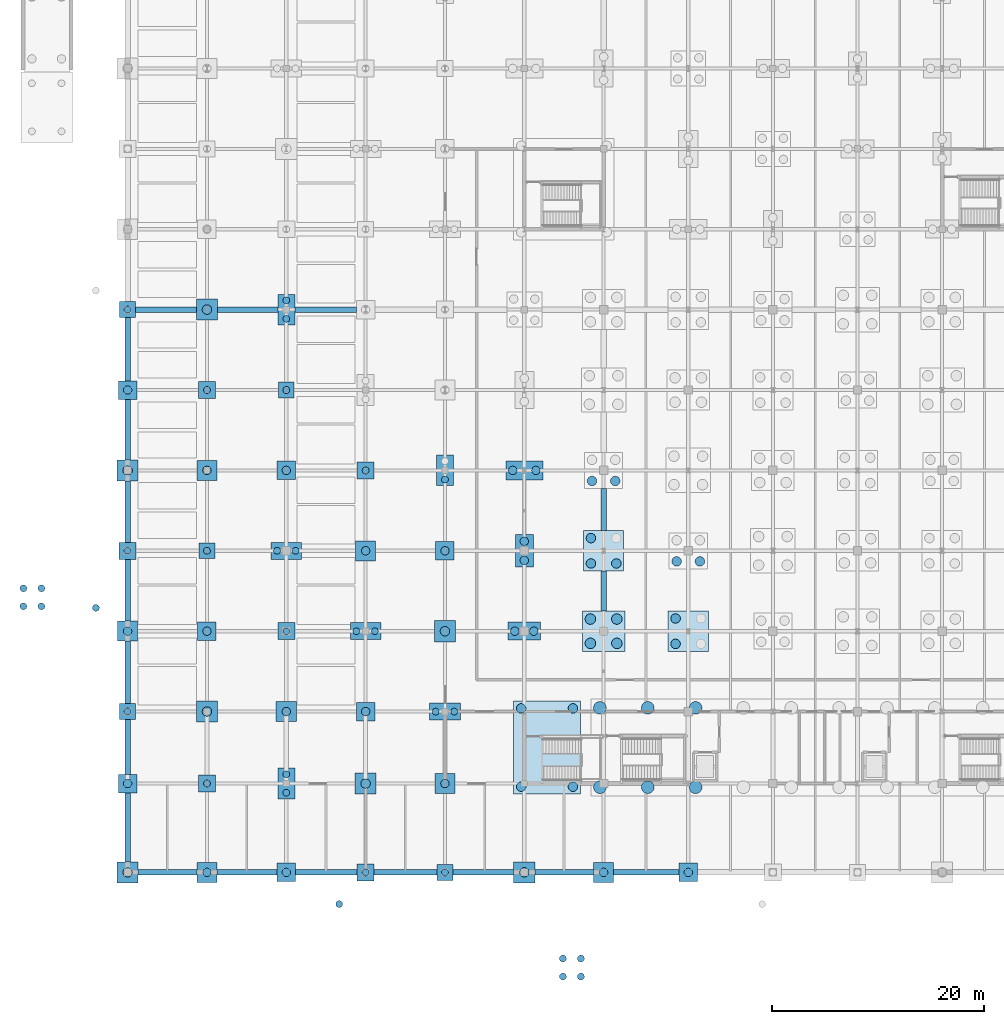
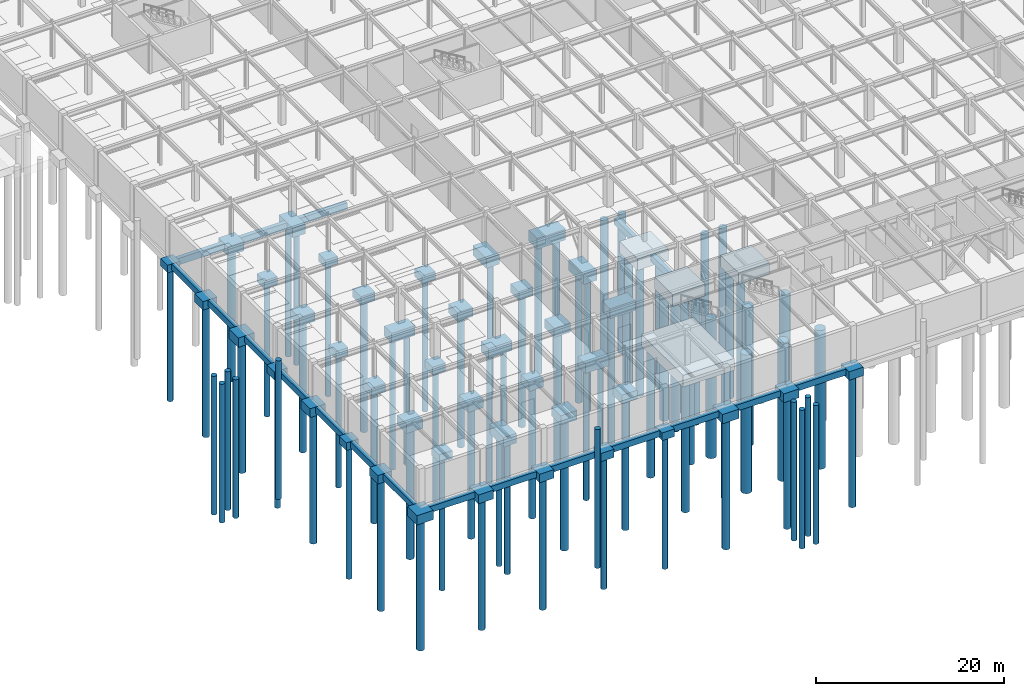
# One storey, part 1 of 53: 83 piles, 65 footings.
"""IFC4 building model written with IfcOpenShell, lengths in metres."""

import ifcopenshell
import ifcopenshell.guid

model = None  # the IFC model being written
_history = None  # IfcOwnerHistory: only IFC2X3 demands one
_inside = {}  # id of a spatial element -> (the spatial element, [elements in it])
_under = {}  # id of a project, library or spatial element -> (it, [spatial elements below it])
_declared = {}  # id of a project -> (the project, [libraries it declares])
_typed = {}  # id of a type object -> (the type object, [elements of that type])
_made_of = {}  # id of a material, layer set ... -> (it, [elements and type objects made of it])


def new_model(schema):
    """Start an empty IFC model of exactly this schema.

    Asked for "IFC4X3", IfcOpenShell would pick the latest addendum, in which some entities
    have other attributes; the version numbers below select the first issue.
    IFC2X3 requires an IfcOwnerHistory on every rooted entity: one is made here for all.
    """
    global model, _history
    if schema == "IFC4X3":
        model = ifcopenshell.file(schema_version=(4, 3, 0, 0))
    else:
        model = ifcopenshell.file(schema=schema)
    _inside.clear()
    _under.clear()
    _declared.clear()
    _typed.clear()
    _made_of.clear()
    _history = None
    if model.schema == "IFC2X3":
        org = make("IfcOrganization", Name="unknown")
        user = make(
            "IfcPersonAndOrganization",
            ThePerson=make("IfcPerson", FamilyName="unknown"),
            TheOrganization=org,
        )
        app = make(
            "IfcApplication",
            ApplicationDeveloper=org,
            Version="unknown",
            ApplicationFullName="unknown",
            ApplicationIdentifier="unknown",
        )
        _history = make(
            "IfcOwnerHistory",
            OwningUser=user,
            OwningApplication=app,
            ChangeAction="ADDED",
            CreationDate=0,
        )
    return model


def make(cls, **values):
    """One entity of the class cls with the attributes given. An attribute that is None is left unset."""
    return model.create_entity(
        cls, **{name: value for name, value in values.items() if value is not None}
    )


def rooted(cls, **values):
    """An entity with a GlobalId (a new one), such as an element, a storey or a relation."""
    return make(cls, GlobalId=ifcopenshell.guid.new(), OwnerHistory=_history, **values)


def si_unit(unit_type, name, prefix=None):
    """IfcSIUnit, for example si_unit("LENGTHUNIT", "METRE", prefix="MILLI")."""
    return make("IfcSIUnit", UnitType=unit_type, Prefix=prefix, Name=name)


def assignment(units):
    """IfcUnitAssignment: the units of a project."""
    return None if units is None else make("IfcUnitAssignment", Units=units)


def point(xyz):
    """IfcCartesianPoint."""
    return None if xyz is None else make("IfcCartesianPoint", Coordinates=xyz)


def direction(xyz):
    """IfcDirection."""
    return None if xyz is None else make("IfcDirection", DirectionRatios=xyz)


def frame(location, z_axis=None, x_axis=None):
    """IfcAxis2Placement3D, a coordinate frame: its origin and axes. An axis left out is left unset."""
    return make(
        "IfcAxis2Placement3D",
        Location=point(location),
        Axis=direction(z_axis),
        RefDirection=direction(x_axis),
    )


def frame_2d(location, x_axis=None):
    """IfcAxis2Placement2D, a coordinate frame in the plane: its origin and x axis."""
    return make(
        "IfcAxis2Placement2D", Location=point(location), RefDirection=direction(x_axis)
    )


def origin():
    """The frame at (0, 0, 0) with its axes left unset."""
    return frame((0.0, 0.0, 0.0))


def origin_2d():
    """The frame at (0, 0) in the plane with its x axis left unset."""
    return frame_2d((0.0, 0.0))


def place(relative_to, where):
    """IfcLocalPlacement: puts the frame where relative to a parent placement (None: the world)."""
    return make(
        "IfcLocalPlacement", PlacementRelTo=relative_to, RelativePlacement=where
    )


def context(
    kind, dimensions, precision=None, world=None, true_north=None, identifier=None
):
    """IfcGeometricRepresentationContext, for example the 3D "Model" context."""
    return make(
        "IfcGeometricRepresentationContext",
        ContextIdentifier=identifier,
        ContextType=kind,
        CoordinateSpaceDimension=dimensions,
        Precision=precision,
        WorldCoordinateSystem=world,
        TrueNorth=true_north,
    )


def subcontext(parent, identifier, kind, view, scale=None):
    """IfcGeometricRepresentationSubContext, for example "Body" below "Model"."""
    return make(
        "IfcGeometricRepresentationSubContext",
        ContextIdentifier=identifier,
        ContextType=kind,
        ParentContext=parent,
        TargetScale=scale,
        TargetView=view,
    )


def project(units=None, contexts=None):
    """IfcProject with its units and contexts."""
    return rooted(
        "IfcProject",
        Name="project",
        RepresentationContexts=contexts,
        UnitsInContext=assignment(units),
    )


def spatial(cls, under=None, at=None, **own):
    """A site, building, storey or space (cls), placed at a placement, below another one or the project."""
    s = rooted(cls, ObjectPlacement=at, **own)
    if under is not None:
        _under.setdefault(under.id(), (under, []))[1].append(s)
    return s


def profile(cls, at=None, kind="AREA", **sizes):
    """A parametric profile (cls). Its sizes go by their IFC names, for example OverallWidth=200.0."""
    return make(cls, ProfileType=kind, Position=at, **sizes)


def rectangle(**sizes):
    """IfcRectangleProfileDef."""
    return profile("IfcRectangleProfileDef", **sizes)


def circle(**sizes):
    """IfcCircleProfileDef."""
    return profile("IfcCircleProfileDef", **sizes)


def extrude(swept, where, along, depth):
    """IfcExtrudedAreaSolid: the profile swept, set in the frame where, extruded along a direction by depth."""
    return make(
        "IfcExtrudedAreaSolid",
        SweptArea=swept,
        Position=where,
        ExtrudedDirection=direction(along),
        Depth=depth,
    )


def shape(context_of_items, identifier, shape_type, items):
    """IfcShapeRepresentation: the items that make up one representation, for example the "Body"."""
    return make(
        "IfcShapeRepresentation",
        ContextOfItems=context_of_items,
        RepresentationIdentifier=identifier,
        RepresentationType=shape_type,
        Items=items,
    )


def material(Name=None, Category=None):
    """IfcMaterial."""
    return make("IfcMaterial", Name=Name, Category=Category)


def material_profile(
    of_material, cross_section, Name=None, Category=None, Priority=None
):
    """IfcMaterialProfile: a cross section and its material."""
    return make(
        "IfcMaterialProfile",
        Name=Name,
        Material=of_material,
        Profile=cross_section,
        Priority=Priority,
        Category=Category,
    )


def profile_set(profiles, Name=None, composite=None):
    """IfcMaterialProfileSet."""
    return make(
        "IfcMaterialProfileSet",
        Name=Name,
        MaterialProfiles=profiles,
        CompositeProfile=composite,
    )


def made_of(thing, what):
    """Note that an element or type object is made of a material, layer set ...; save() writes the relation."""
    if what is not None:
        _made_of.setdefault(what.id(), (what, []))[1].append(thing)
    return thing


def type_object(cls, material=None, **own):
    """A type object (cls), such as IfcWallType, which elements share."""
    return made_of(rooted(cls, **own), material)


def element(
    cls,
    number,
    at=None,
    inside=None,
    cuts=None,
    type_object=None,
    material=None,
    context=None,
    identifier="Body",
    shape_type=None,
    held_by="IfcProductDefinitionShape",
    body=None,
    shapes=None,
    **own,
):
    """One element of the class cls, such as IfcWall. Its Tag is "e" and its number.

    at: its placement. inside: the storey or other place that contains it. cuts: it is an
    opening in that element (IfcRelVoidsElement). A single representation is given by context,
    identifier, shape_type and body (its items); several are given by shapes. held_by: the class
    of the entity that holds the representations. save() writes the other relations.
    """
    e = rooted(cls, Tag="e%d" % number, ObjectPlacement=at, **own)
    if body is not None:
        shapes = [shape(context, identifier, shape_type, body)]
    if shapes is not None:
        e.Representation = make(held_by, Representations=shapes)
    if inside is not None:
        _inside.setdefault(inside.id(), (inside, []))[1].append(e)
    if cuts is not None:
        rooted(
            "IfcRelVoidsElement", RelatingBuildingElement=cuts, RelatedOpeningElement=e
        )
    if type_object is not None:
        _typed.setdefault(type_object.id(), (type_object, []))[1].append(e)
    return made_of(e, material)


def aggregate(whole, parts):
    """IfcRelAggregates: a whole, such as a stair, and the parts it consists of."""
    return rooted("IfcRelAggregates", RelatingObject=whole, RelatedObjects=parts)


def save(model, path):
    """Write the relations noted so far, then the file.

    IfcRelAggregates (storeys below a building ...), IfcRelContainedInSpatialStructure (elements
    in a storey), IfcRelDefinesByType, IfcRelAssociatesMaterial and IfcRelDeclares: one each for
    every whole, place, type object, material and project.
    """
    for whole, parts in _under.values():
        aggregate(whole, parts)
    for where, things in _inside.values():
        rooted(
            "IfcRelContainedInSpatialStructure",
            RelatedElements=things,
            RelatingStructure=where,
        )
    for kind, things in _typed.values():
        rooted("IfcRelDefinesByType", RelatedObjects=things, RelatingType=kind)
    for what, things in _made_of.values():
        rooted("IfcRelAssociatesMaterial", RelatedObjects=things, RelatingMaterial=what)
    for by, libraries in _declared.values():
        rooted("IfcRelDeclares", RelatingContext=by, RelatedDefinitions=libraries)
    model.write(path)


model = new_model("IFC4")

# Units and contexts
model_context = context("Model", 3, precision=1e-05, world=origin(), true_north=direction((0.0, 1.0)))
body_context = subcontext(model_context, "Body", "Model", "MODEL_VIEW")
ifc_project = project(units=[si_unit("LENGTHUNIT", "METRE"), si_unit("AREAUNIT", "SQUARE_METRE"), si_unit("VOLUMEUNIT", "CUBIC_METRE"), si_unit("PLANEANGLEUNIT", "RADIAN"), si_unit("MASSUNIT", "GRAM", prefix="KILO")], contexts=[model_context])

# Site, building, storey
site_placement = place(None, origin())
site = spatial("IfcSite", under=ifc_project, at=site_placement, CompositionType="ELEMENT")
building_placement = place(site_placement, origin())
building = spatial("IfcBuilding", under=site, at=building_placement, Name="Shalkamar Park Central Library", CompositionType="ELEMENT")
storey_placement = place(building_placement, frame((0.0, 0.0, -4.800048828125)))
storey = spatial("IfcBuildingStorey", under=building, at=storey_placement, Name="B1", CompositionType="ELEMENT", Elevation=-4.800048828125)

# Piles
ifc_material = material(Name="Concrete C35/45", Category="concrete")
ifc_material_profile_1 = material_profile(ifc_material, circle(Radius=0.5, at=origin_2d()), Name="PILE D1000")
ifc_profile_set_1 = profile_set([ifc_material_profile_1], Name="Concrete C35/45")
pile_type_1 = type_object("IfcPileType", Name="Bored Concrete Pile D1000", PredefinedType="BORED", material=ifc_profile_set_1)
for number, where, z_axis, x_axis, name in (
    (1, (163.75, 261.64990234375, -0.800048828125), (0.0, 0.0, -1.0), (1.0, 0.0, 0.0), "Bored Pile FC-07-D-P01"),
    (2, (163.75, 263.949951171875, -0.800048828125), (0.0, 0.0, -1.0), (1.0, 0.0, 0.0), "Bored Pile FC-07-D-P02"),
    (3, (166.25, 261.64990234375, -0.800048828125), (0.0, 0.0, -1.0), (1.0, 0.0, 0.0), "Bored Pile FC-07-D-P03"),
    (4, (166.25, 263.949951171875, -0.800048828125), (0.0, 0.0, -1.0), (1.0, 0.0, 0.0), "Bored Pile FC-07-D-P04"),
):
    element("IfcPile", number, at=place(storey_placement, frame(where, z_axis=z_axis, x_axis=x_axis)), inside=storey, type_object=pile_type_1, Name=name, PredefinedType="BORED", context=body_context, shape_type="SweptSolid", body=[
        extrude(circle(Radius=0.5, at=origin_2d()), origin(), (0.0, 0.0, 1.0), 18.0),
    ])
ifc_material_profile_2 = material_profile(ifc_material, circle(Radius=0.60009765625, at=origin_2d()), Name="PILE D1200")
ifc_profile_set_2 = profile_set([ifc_material_profile_2], Name="Concrete C35/45")
pile_type_2 = type_object("IfcPileType", Name="Bored Concrete Pile D1200", PredefinedType="BORED", material=ifc_profile_set_2)
for number, where, z_axis, x_axis, name in (
    (5, (164.64990234375, 248.050048828125, -0.800048828125), (0.0, 0.0, -1.0), (1.0, 0.0, 0.0), "Bored Pile FC-RAFT-TOWER-P01"),
    (6, (164.64990234375, 255.550048828125, -0.800048828125), (0.0, 0.0, -1.0), (1.0, 0.0, 0.0), "Bored Pile FC-RAFT-TOWER-P02"),
    (7, (169.172119140625, 248.050048828125, -0.800048828125), (0.0, 0.0, -1.0), (1.0, 0.0, 0.0), "Bored Pile FC-RAFT-TOWER-P03"),
    (8, (169.172119140625, 255.550048828125, -0.800048828125), (0.0, 0.0, -1.0), (1.0, 0.0, 0.0), "Bored Pile FC-RAFT-TOWER-P04"),
    (9, (173.6943359375, 248.050048828125, -0.800048828125), (0.0, 0.0, -1.0), (1.0, 0.0, 0.0), "Bored Pile FC-RAFT-TOWER-P05"),
    (10, (173.6943359375, 255.550048828125, -0.800048828125), (0.0, 0.0, -1.0), (1.0, 0.0, 0.0), "Bored Pile FC-RAFT-TOWER-P06"),
):
    element("IfcPile", number, at=place(storey_placement, frame(where, z_axis=z_axis, x_axis=x_axis)), inside=storey, type_object=pile_type_2, Name=name, PredefinedType="BORED", context=body_context, shape_type="SweptSolid", body=[
        extrude(circle(Radius=0.60009765625, at=origin_2d()), origin(), (0.0, 0.0, 1.0), 18.0),
    ])
ifc_material_profile_3 = material_profile(ifc_material, circle(Radius=0.324951171875, at=origin_2d()), Name="PILE D650")
ifc_profile_set_3 = profile_set([ifc_material_profile_3], Name="Concrete C35/45")
pile_type_3 = type_object("IfcPileType", Name="Bored Concrete Pile D650", PredefinedType="BORED", material=ifc_profile_set_3)
for number, where, z_axis, x_axis, name in (
    (11, (120.0, 255.199951171875, -0.800048828125), (0.0, 0.0, -1.0), (1.0, 0.0, 0.0), "Bored Pile FC-01-C-P01"),
    (12, (120.0, 270.39990234375, -0.800048828125), (0.0, 0.0, -1.0), (1.0, 0.0, 0.0), "Bored Pile FC-01-E-P01"),
    (13, (120.0, 293.199951171875, -0.800048828125), (0.0, 0.0, -1.0), (1.0, 0.0, 0.0), "Bored Pile FC-01-H-P01"),
    (14, (127.5, 248.39990234375, -0.800048828125), (0.0, 0.0, -1.0), (1.0, 0.0, 0.0), "Bored Pile FC-02-B-P01"),
    (15, (127.5, 270.39990234375, -0.800048828125), (0.0, 0.0, -1.0), (1.0, 0.0, 0.0), "Bored Pile FC-02-E-P01"),
    (16, (127.5, 285.60009765625, -0.800048828125), (0.0, 0.0, -1.0), (1.0, 0.0, 0.0), "Bored Pile FC-02-G-P01"),
    (17, (135.0, 247.52490234375, -0.800048828125), (0.0, 0.0, -1.0), (1.0, 0.0, 0.0), "Bored Pile FC-03-B-P01"),
    (18, (135.0, 249.27490234375, -0.800048828125), (0.0, 0.0, -1.0), (1.0, 0.0, 0.0), "Bored Pile FC-03-B-P02"),
    (19, (135.0, 262.800048828125, -0.800048828125), (0.0, 0.0, -1.0), (1.0, 0.0, 0.0), "Bored Pile FC-03-D-P01"),
    (20, (134.125, 270.39990234375, -0.800048828125), (0.0, 0.0, -1.0), (1.0, 0.0, 0.0), "Bored Pile FC-03-E-P01"),
    (21, (135.875, 270.39990234375, -0.800048828125), (0.0, 0.0, -1.0), (1.0, 0.0, 0.0), "Bored Pile FC-03-E-P02"),
    (22, (135.0, 285.60009765625, -0.800048828125), (0.0, 0.0, -1.0), (1.0, 0.0, 0.0), "Bored Pile FC-03-G-P01"),
    (23, (135.0, 292.324951171875, -0.800048828125), (0.0, 0.0, -1.0), (1.0, 0.0, 0.0), "Bored Pile FC-03-H-P01"),
    (24, (135.0, 294.074951171875, -0.800048828125), (0.0, 0.0, -1.0), (1.0, 0.0, 0.0), "Bored Pile FC-03-H-P02"),
    (25, (142.5, 240.0, -0.800048828125), (0.0, 0.0, -1.0), (1.0, 0.0, 0.0), "Bored Pile FC-04-A-P01"),
    (26, (141.625, 262.800048828125, -0.800048828125), (0.0, 0.0, -1.0), (1.0, 0.0, 0.0), "Bored Pile FC-04-D-P01"),
    (27, (143.375, 262.800048828125, -0.800048828125), (0.0, 0.0, -1.0), (1.0, 0.0, 0.0), "Bored Pile FC-04-D-P02"),
    (28, (142.5, 278.0, -0.800048828125), (0.0, 0.0, -1.0), (1.0, 0.0, 0.0), "Bored Pile FC-04-F-P01"),
    (29, (150.0, 240.0, -0.800048828125), (0.0, 0.0, -1.0), (1.0, 0.0, 0.0), "Bored Pile FC-05-A-P01"),
    (30, (149.125, 255.199951171875, -0.800048828125), (0.0, 0.0, -1.0), (1.0, 0.0, 0.0), "Bored Pile FC-05-C-P01"),
    (31, (150.875, 255.199951171875, -0.800048828125), (0.0, 0.0, -1.0), (1.0, 0.0, 0.0), "Bored Pile FC-05-C-P02"),
    (32, (150.0, 277.125, -0.800048828125), (0.0, 0.0, -1.0), (1.0, 0.0, 0.0), "Bored Pile FC-05-F-P01"),
    (33, (140.0, 237.0, 4.650146484375), (0.0, 0.0, -1.0), (1.0, 0.0, 0.0), "Entrance Apron Pile 08"),
    (34, (117.0, 265.0, 4.650146484375), (0.0, 0.0, -1.0), (1.0, 0.0, 0.0), "Entrance Apron Pile 12"),
    (35, (161.14990234375, 230.14990234375, 3.920166015625), (0.0, 0.0, -1.0), (1.0, 0.0, 0.0), "Approach Ramp Pile 03-1"),
    (36, (162.85009765625, 230.14990234375, 3.920166015625), (0.0, 0.0, -1.0), (1.0, 0.0, 0.0), "Approach Ramp Pile 03-2"),
    (37, (162.85009765625, 231.85009765625, 3.920166015625), (0.0, 0.0, -1.0), (1.0, 0.0, 0.0), "Approach Ramp Pile 03-3"),
    (38, (161.14990234375, 231.85009765625, 3.920166015625), (0.0, 0.0, -1.0), (1.0, 0.0, 0.0), "Approach Ramp Pile 03-4"),
    (39, (110.14990234375, 265.14990234375, 3.920166015625), (0.0, 0.0, -1.0), (1.0, 0.0, 0.0), "Approach Ramp Pile 05-1"),
    (40, (111.85009765625, 265.14990234375, 3.920166015625), (0.0, 0.0, -1.0), (1.0, 0.0, 0.0), "Approach Ramp Pile 05-2"),
    (41, (111.85009765625, 266.85009765625, 3.920166015625), (0.0, 0.0, -1.0), (1.0, 0.0, 0.0), "Approach Ramp Pile 05-3"),
    (42, (110.14990234375, 266.85009765625, 3.920166015625), (0.0, 0.0, -1.0), (1.0, 0.0, 0.0), "Approach Ramp Pile 05-4"),
):
    element("IfcPile", number, at=place(storey_placement, frame(where, z_axis=z_axis, x_axis=x_axis)), inside=storey, type_object=pile_type_3, Name=name, PredefinedType="BORED", context=body_context, shape_type="SweptSolid", body=[
        extrude(circle(Radius=0.324951171875, at=origin_2d()), origin(), (0.0, 0.0, 1.0), 18.0),
    ])
ifc_material_profile_4 = material_profile(ifc_material, circle(Radius=0.39990234375, at=origin_2d()), Name="PILE D800")
ifc_profile_set_4 = profile_set([ifc_material_profile_4], Name="Concrete C35/45")
pile_type_4 = type_object("IfcPileType", Name="Bored Concrete Pile D800", PredefinedType="BORED", material=ifc_profile_set_4)
for number, where, z_axis, x_axis, name in (
    (43, (120.0, 248.39990234375, -0.800048828125), (0.0, 0.0, -1.0), (1.0, 0.0, 0.0), "Bored Pile FC-01-B-P01"),
    (44, (120.0, 262.800048828125, -0.800048828125), (0.0, 0.0, -1.0), (1.0, 0.0, 0.0), "Bored Pile FC-01-D-P01"),
    (45, (120.0, 285.60009765625, -0.800048828125), (0.0, 0.0, -1.0), (1.0, 0.0, 0.0), "Bored Pile FC-01-G-P01"),
    (46, (127.5, 240.0, -0.800048828125), (0.0, 0.0, -1.0), (1.0, 0.0, 0.0), "Bored Pile FC-02-A-P01"),
    (47, (127.5, 262.800048828125, -0.800048828125), (0.0, 0.0, -1.0), (1.0, 0.0, 0.0), "Bored Pile FC-02-D-P01"),
    (48, (127.5, 278.0, -0.800048828125), (0.0, 0.0, -1.0), (1.0, 0.0, 0.0), "Bored Pile FC-02-F-P01"),
    (49, (135.0, 240.0, -0.800048828125), (0.0, 0.0, -1.0), (1.0, 0.0, 0.0), "Bored Pile FC-03-A-P01"),
    (50, (135.0, 255.199951171875, -0.800048828125), (0.0, 0.0, -1.0), (1.0, 0.0, 0.0), "Bored Pile FC-03-C-P01"),
    (51, (135.0, 278.0, -0.800048828125), (0.0, 0.0, -1.0), (1.0, 0.0, 0.0), "Bored Pile FC-03-F-P01"),
    (52, (142.5, 255.199951171875, -0.800048828125), (0.0, 0.0, -1.0), (1.0, 0.0, 0.0), "Bored Pile FC-04-C-P01"),
    (53, (142.5, 270.39990234375, -0.800048828125), (0.0, 0.0, -1.0), (1.0, 0.0, 0.0), "Bored Pile FC-04-E-P01"),
    (54, (150.0, 248.39990234375, -0.800048828125), (0.0, 0.0, -1.0), (1.0, 0.0, 0.0), "Bored Pile FC-05-B-P01"),
    (55, (150.0, 270.39990234375, -0.800048828125), (0.0, 0.0, -1.0), (1.0, 0.0, 0.0), "Bored Pile FC-05-E-P01"),
    (56, (156.60009765625, 262.800048828125, -0.800048828125), (0.0, 0.0, -1.0), (1.0, 0.0, 0.0), "Bored Pile FC-06-D-P01"),
    (57, (158.39990234375, 262.800048828125, -0.800048828125), (0.0, 0.0, -1.0), (1.0, 0.0, 0.0), "Bored Pile FC-06-D-P02"),
    (58, (157.5, 269.5, -0.800048828125), (0.0, 0.0, -1.0), (1.0, 0.0, 0.0), "Bored Pile FC-06-E-P01"),
    (59, (157.5, 271.300048828125, -0.800048828125), (0.0, 0.0, -1.0), (1.0, 0.0, 0.0), "Bored Pile FC-06-E-P02"),
    (60, (156.39990234375, 278.0, -0.800048828125), (0.0, 0.0, -1.0), (1.0, 0.0, 0.0), "Bored Pile FC-06-F-P01"),
    (61, (158.60009765625, 278.0, -0.800048828125), (0.0, 0.0, -1.0), (1.0, 0.0, 0.0), "Bored Pile FC-06-F-P02"),
    (62, (165.0, 240.0, -0.800048828125), (0.0, 0.0, -1.0), (1.0, 0.0, 0.0), "Bored Pile FC-07-A-P01"),
    (63, (173.0, 240.0, -0.800048828125), (0.0, 0.0, -1.0), (1.0, 0.0, 0.0), "Bored Pile FC-08-A-P01"),
):
    element("IfcPile", number, at=place(storey_placement, frame(where, z_axis=z_axis, x_axis=x_axis)), inside=storey, type_object=pile_type_4, Name=name, PredefinedType="BORED", context=body_context, shape_type="SweptSolid", body=[
        extrude(circle(Radius=0.39990234375, at=origin_2d()), origin(), (0.0, 0.0, 1.0), 18.0),
    ])
ifc_material_profile_5 = material_profile(ifc_material, circle(Radius=0.449951171875, at=origin_2d()), Name="PILE D900")
ifc_profile_set_5 = profile_set([ifc_material_profile_5], Name="Concrete C35/45")
pile_type_5 = type_object("IfcPileType", Name="Bored Concrete Pile D900", PredefinedType="BORED", material=ifc_profile_set_5)
for number, where, z_axis, x_axis, name in (
    (64, (157.199951171875, 248.10009765625, -0.800048828125), (0.0, 0.0, -1.0), (1.0, 0.0, 0.0), "Bored Pile FC-CORE-P1-P01"),
    (65, (157.199951171875, 255.5, -0.800048828125), (0.0, 0.0, -1.0), (1.0, 0.0, 0.0), "Bored Pile FC-CORE-P1-P02"),
    (66, (162.10009765625, 248.10009765625, -0.800048828125), (0.0, 0.0, -1.0), (1.0, 0.0, 0.0), "Bored Pile FC-CORE-P1-P03"),
    (67, (162.10009765625, 255.5, -0.800048828125), (0.0, 0.0, -1.0), (1.0, 0.0, 0.0), "Bored Pile FC-CORE-P1-P04"),
    (68, (120.0, 240.0, -0.800048828125), (0.0, 0.0, -1.0), (1.0, 0.0, 0.0), "Bored Pile FC-01-A-P01"),
    (69, (120.0, 278.0, -0.800048828125), (0.0, 0.0, -1.0), (1.0, 0.0, 0.0), "Bored Pile FC-01-F-P01"),
    (70, (127.5, 255.199951171875, -0.800048828125), (0.0, 0.0, -1.0), (1.0, 0.0, 0.0), "Bored Pile FC-02-C-P01"),
    (71, (127.5, 293.199951171875, -0.800048828125), (0.0, 0.0, -1.0), (1.0, 0.0, 0.0), "Bored Pile FC-02-H-P01"),
    (72, (142.5, 248.39990234375, -0.800048828125), (0.0, 0.0, -1.0), (1.0, 0.0, 0.0), "Bored Pile FC-04-B-P01"),
    (73, (150.0, 262.800048828125, -0.800048828125), (0.0, 0.0, -1.0), (1.0, 0.0, 0.0), "Bored Pile FC-05-D-P01"),
    (74, (157.5, 240.0, -0.800048828125), (0.0, 0.0, -1.0), (1.0, 0.0, 0.0), "Bored Pile FC-06-A-P01"),
    (75, (163.800048828125, 269.199951171875, -0.800048828125), (0.0, 0.0, -1.0), (1.0, 0.0, 0.0), "Bored Pile FC-07-E-P01"),
    (76, (163.800048828125, 271.60009765625, -0.800048828125), (0.0, 0.0, -1.0), (1.0, 0.0, 0.0), "Bored Pile FC-07-E-P02"),
    (77, (166.199951171875, 269.199951171875, -0.800048828125), (0.0, 0.0, -1.0), (1.0, 0.0, 0.0), "Bored Pile FC-07-E-P03"),
    (78, (163.89990234375, 277.0, -0.800048828125), (0.0, 0.0, -1.0), (1.0, 0.0, 0.0), "Bored Pile FC-07-F-P01"),
    (79, (166.10009765625, 277.0, -0.800048828125), (0.0, 0.0, -1.0), (1.0, 0.0, 0.0), "Bored Pile FC-07-F-P03"),
    (80, (171.800048828125, 261.60009765625, -0.800048828125), (0.0, 0.0, -1.0), (1.0, 0.0, 0.0), "Bored Pile FC-08-D-P01"),
    (81, (171.800048828125, 264.0, -0.800048828125), (0.0, 0.0, -1.0), (1.0, 0.0, 0.0), "Bored Pile FC-08-D-P02"),
    (82, (171.89990234375, 269.39990234375, -0.800048828125), (0.0, 0.0, -1.0), (1.0, 0.0, 0.0), "Bored Pile FC-08-E-P01"),
    (83, (174.10009765625, 269.39990234375, -0.800048828125), (0.0, 0.0, -1.0), (1.0, 0.0, 0.0), "Bored Pile FC-08-E-P03"),
):
    element("IfcPile", number, at=place(storey_placement, frame(where, z_axis=z_axis, x_axis=x_axis)), inside=storey, type_object=pile_type_5, Name=name, PredefinedType="BORED", context=body_context, shape_type="SweptSolid", body=[
        extrude(circle(Radius=0.449951171875, at=origin_2d()), origin(), (0.0, 0.0, 1.0), 18.0),
    ])

# Footings
footing_type_1 = type_object("IfcFootingType", Name="Ground Tie Beam 500x800", PredefinedType="FOOTING_BEAM", material=ifc_material)
footing_1_placement = place(storey_placement, frame((123.77490234375, 240.0, -1.39990234375), z_axis=(0.0, 0.0, 1.0), x_axis=(1.0, 0.0, 0.0)))
element("IfcFooting", 84, at=footing_1_placement, inside=storey, type_object=footing_type_1, Name="Ground Tie Beam TB-X-01-A", PredefinedType="FOOTING_BEAM", context=body_context, shape_type="SweptSolid", body=[
    extrude(rectangle(XDim=5.550048828125, YDim=0.5, at=origin_2d()), origin(), (0.0, 0.0, 1.0), 0.800048828125),
])
footing_2_placement = place(storey_placement, frame((131.28759765625, 240.0, -1.39990234375), z_axis=(0.0, 0.0, 1.0), x_axis=(1.0, 0.0, 0.0)))
element("IfcFooting", 85, at=footing_2_placement, inside=storey, type_object=footing_type_1, Name="Ground Tie Beam TB-X-02-A", PredefinedType="FOOTING_BEAM", context=body_context, shape_type="SweptSolid", body=[
    extrude(rectangle(XDim=5.675048828125, YDim=0.5, at=origin_2d()), origin(), (0.0, 0.0, 1.0), 0.800048828125),
])
footing_3_placement = place(storey_placement, frame((138.78759765625, 240.0, -1.39990234375), z_axis=(0.0, 0.0, 1.0), x_axis=(1.0, 0.0, 0.0)))
element("IfcFooting", 86, at=footing_3_placement, inside=storey, type_object=footing_type_1, Name="Ground Tie Beam TB-X-03-A", PredefinedType="FOOTING_BEAM", context=body_context, shape_type="SweptSolid", body=[
    extrude(rectangle(XDim=5.824951171875, YDim=0.5, at=origin_2d()), origin(), (0.0, 0.0, 1.0), 0.800048828125),
])
footing_4_placement = place(storey_placement, frame((146.27490234375, 240.0, -1.39990234375), z_axis=(0.0, 0.0, 1.0), x_axis=(1.0, 0.0, 0.0)))
element("IfcFooting", 87, at=footing_4_placement, inside=storey, type_object=footing_type_1, Name="Ground Tie Beam TB-X-04-A", PredefinedType="FOOTING_BEAM", context=body_context, shape_type="SweptSolid", body=[
    extrude(rectangle(XDim=5.949951171875, YDim=0.5, at=origin_2d()), origin(), (0.0, 0.0, 1.0), 0.800048828125),
])
footing_5_placement = place(storey_placement, frame((153.625, 240.0, -1.39990234375), z_axis=(0.0, 0.0, 1.0), x_axis=(1.0, 0.0, 0.0)))
element("IfcFooting", 88, at=footing_5_placement, inside=storey, type_object=footing_type_1, Name="Ground Tie Beam TB-X-05-A", PredefinedType="FOOTING_BEAM", context=body_context, shape_type="SweptSolid", body=[
    extrude(rectangle(XDim=5.75, YDim=0.5, at=origin_2d()), origin(), (0.0, 0.0, 1.0), 0.800048828125),
])
footing_6_placement = place(storey_placement, frame((161.27490234375, 240.0, -1.39990234375), z_axis=(0.0, 0.0, 1.0), x_axis=(1.0, 0.0, 0.0)))
element("IfcFooting", 89, at=footing_6_placement, inside=storey, type_object=footing_type_1, Name="Ground Tie Beam TB-X-06-A", PredefinedType="FOOTING_BEAM", context=body_context, shape_type="SweptSolid", body=[
    extrude(rectangle(XDim=5.550048828125, YDim=0.5, at=origin_2d()), origin(), (0.0, 0.0, 1.0), 0.800048828125),
])
footing_7_placement = place(storey_placement, frame((169.03759765625, 240.0, -1.39990234375), z_axis=(0.0, 0.0, 1.0), x_axis=(1.0, 0.0, 0.0)))
element("IfcFooting", 90, at=footing_7_placement, inside=storey, type_object=footing_type_1, Name="Ground Tie Beam TB-X-07-A", PredefinedType="FOOTING_BEAM", context=body_context, shape_type="SweptSolid", body=[
    extrude(rectangle(XDim=6.175048828125, YDim=0.5, at=origin_2d()), origin(), (0.0, 0.0, 1.0), 0.800048828125),
])
footing_8_placement = place(storey_placement, frame((120.0, 244.262451171875, -1.39990234375), z_axis=(0.0, 0.0, 1.0), x_axis=(0.0, 1.0, 0.0)))
element("IfcFooting", 91, at=footing_8_placement, inside=storey, type_object=footing_type_1, Name="Ground Tie Beam TB-Y-01-A", PredefinedType="FOOTING_BEAM", context=body_context, shape_type="SweptSolid", body=[
    extrude(rectangle(XDim=6.52490234375, YDim=0.5, at=origin_2d()), origin(), (0.0, 0.0, 1.0), 0.800048828125),
])
footing_9_placement = place(storey_placement, frame((120.0, 251.862548828125, -1.39990234375), z_axis=(0.0, 0.0, 1.0), x_axis=(0.0, 1.0, 0.0)))
element("IfcFooting", 92, at=footing_9_placement, inside=storey, type_object=footing_type_1, Name="Ground Tie Beam TB-Y-01-B", PredefinedType="FOOTING_BEAM", context=body_context, shape_type="SweptSolid", body=[
    extrude(rectangle(XDim=5.175048828125, YDim=0.5, at=origin_2d()), origin(), (0.0, 0.0, 1.0), 0.800048828125),
])
footing_10_placement = place(storey_placement, frame((120.0, 258.89990234375, -1.39990234375), z_axis=(0.0, 0.0, 1.0), x_axis=(0.0, 1.0, 0.0)))
element("IfcFooting", 93, at=footing_10_placement, inside=storey, type_object=footing_type_1, Name="Ground Tie Beam TB-Y-01-C", PredefinedType="FOOTING_BEAM", context=body_context, shape_type="SweptSolid", body=[
    extrude(rectangle(XDim=5.89990234375, YDim=0.5, at=origin_2d()), origin(), (0.0, 0.0, 1.0), 0.800048828125),
])
footing_11_placement = place(storey_placement, frame((120.0, 266.675048828125, -1.39990234375), z_axis=(0.0, 0.0, 1.0), x_axis=(0.0, 1.0, 0.0)))
element("IfcFooting", 94, at=footing_11_placement, inside=storey, type_object=footing_type_1, Name="Ground Tie Beam TB-Y-01-D", PredefinedType="FOOTING_BEAM", context=body_context, shape_type="SweptSolid", body=[
    extrude(rectangle(XDim=5.85009765625, YDim=0.5, at=origin_2d()), origin(), (0.0, 0.0, 1.0), 0.800048828125),
])
footing_12_placement = place(storey_placement, frame((120.0, 274.10009765625, -1.39990234375), z_axis=(0.0, 0.0, 1.0), x_axis=(0.0, 1.0, 0.0)))
element("IfcFooting", 95, at=footing_12_placement, inside=storey, type_object=footing_type_1, Name="Ground Tie Beam TB-Y-01-E", PredefinedType="FOOTING_BEAM", context=body_context, shape_type="SweptSolid", body=[
    extrude(rectangle(XDim=5.800048828125, YDim=0.5, at=origin_2d()), origin(), (0.0, 0.0, 1.0), 0.800048828125),
])
footing_13_placement = place(storey_placement, frame((120.0, 281.862548828125, -1.39990234375), z_axis=(0.0, 0.0, 1.0), x_axis=(0.0, 1.0, 0.0)))
element("IfcFooting", 96, at=footing_13_placement, inside=storey, type_object=footing_type_1, Name="Ground Tie Beam TB-Y-01-F", PredefinedType="FOOTING_BEAM", context=body_context, shape_type="SweptSolid", body=[
    extrude(rectangle(XDim=5.72509765625, YDim=0.5, at=origin_2d()), origin(), (0.0, 0.0, 1.0), 0.800048828125),
])
footing_14_placement = place(storey_placement, frame((120.0, 289.46240234375, -1.39990234375), z_axis=(0.0, 0.0, 1.0), x_axis=(0.0, 1.0, 0.0)))
element("IfcFooting", 97, at=footing_14_placement, inside=storey, type_object=footing_type_1, Name="Ground Tie Beam TB-Y-01-G", PredefinedType="FOOTING_BEAM", context=body_context, shape_type="SweptSolid", body=[
    extrude(rectangle(XDim=5.97509765625, YDim=0.5, at=origin_2d()), origin(), (0.0, 0.0, 1.0), 0.800048828125),
])
footing_type_2 = type_object("IfcFootingType", Name="Ground Tie Beam 500x850", PredefinedType="FOOTING_BEAM", material=ifc_material)
footing_15_placement = place(storey_placement, frame((123.625, 293.199951171875, -1.449951171875), z_axis=(0.0, 0.0, 1.0), x_axis=(1.0, 0.0, 0.0)))
element("IfcFooting", 98, at=footing_15_placement, inside=storey, type_object=footing_type_2, Name="Ground Tie Beam TB-X-01-H", PredefinedType="FOOTING_BEAM", context=body_context, shape_type="SweptSolid", body=[
    extrude(rectangle(XDim=5.75, YDim=0.5, at=origin_2d()), origin(), (0.0, 0.0, 1.0), 0.85009765625),
])
footing_16_placement = place(storey_placement, frame((131.35009765625, 293.199951171875, -1.449951171875), z_axis=(0.0, 0.0, 1.0), x_axis=(1.0, 0.0, 0.0)))
element("IfcFooting", 99, at=footing_16_placement, inside=storey, type_object=footing_type_2, Name="Ground Tie Beam TB-X-02-H", PredefinedType="FOOTING_BEAM", context=body_context, shape_type="SweptSolid", body=[
    extrude(rectangle(XDim=5.699951171875, YDim=0.5, at=origin_2d()), origin(), (0.0, 0.0, 1.0), 0.85009765625),
])
footing_17_placement = place(storey_placement, frame((138.71240234375, 293.199951171875, -1.449951171875), z_axis=(0.0, 0.0, 1.0), x_axis=(1.0, 0.0, 0.0)))
element("IfcFooting", 100, at=footing_17_placement, inside=storey, type_object=footing_type_2, Name="Ground Tie Beam TB-X-03-H", PredefinedType="FOOTING_BEAM", context=body_context, shape_type="SweptSolid", body=[
    extrude(rectangle(XDim=5.824951171875, YDim=0.5, at=origin_2d()), origin(), (0.0, 0.0, 1.0), 0.85009765625),
])
footing_18_placement = place(storey_placement, frame((165.0, 266.60009765625, -1.449951171875), z_axis=(0.0, 0.0, 1.0), x_axis=(0.0, 1.0, 0.0)))
element("IfcFooting", 101, at=footing_18_placement, inside=storey, type_object=footing_type_2, Name="Ground Tie Beam TB-Y-07-D", PredefinedType="FOOTING_BEAM", context=body_context, shape_type="SweptSolid", body=[
    extrude(rectangle(XDim=3.800048828125, YDim=0.5, at=origin_2d()), origin(), (0.0, 0.0, 1.0), 0.85009765625),
])
footing_19_placement = place(storey_placement, frame((165.0, 274.300048828125, -1.449951171875), z_axis=(0.0, 0.0, 1.0), x_axis=(0.0, 1.0, 0.0)))
element("IfcFooting", 102, at=footing_19_placement, inside=storey, type_object=footing_type_2, Name="Ground Tie Beam TB-Y-07-E", PredefinedType="FOOTING_BEAM", context=body_context, shape_type="SweptSolid", body=[
    extrude(rectangle(XDim=4.0, YDim=0.5, at=origin_2d()), origin(), (0.0, 0.0, 1.0), 0.85009765625),
])
footing_type_3 = type_object("IfcFootingType", Name="Reinforced Concrete Pile Cap 150x150x100", PredefinedType="PILE_CAP", material=ifc_material)
for number, where, z_axis, x_axis, name in (
    (103, (120.0, 255.199951171875, -1.599853515625), (0.0, 0.0, 1.0), (1.0, 0.0, 0.0), "Pile Cap FC-09"),
    (104, (120.0, 293.199951171875, -1.599853515625), (0.0, 0.0, 1.0), (1.0, 0.0, 0.0), "Pile Cap FC-09"),
    (105, (127.5, 270.39990234375, -1.599853515625), (0.0, 0.0, 1.0), (1.0, 0.0, 0.0), "Pile Cap FC-09"),
    (106, (135.0, 285.60009765625, -1.599853515625), (0.0, 0.0, 1.0), (1.0, 0.0, 0.0), "Pile Cap FC-09"),
    (107, (150.0, 240.0, -1.599853515625), (0.0, 0.0, 1.0), (1.0, 0.0, 0.0), "Pile Cap FC-09"),
):
    element("IfcFooting", number, at=place(storey_placement, frame(where, z_axis=z_axis, x_axis=x_axis)), inside=storey, type_object=footing_type_3, Name=name, PredefinedType="PILE_CAP", context=body_context, shape_type="SweptSolid", body=[
        extrude(rectangle(XDim=1.5, YDim=1.5, at=origin_2d()), origin(), (0.0, 0.0, 1.0), 1.0),
    ])
footing_type_4 = type_object("IfcFootingType", Name="Reinforced Concrete Pile Cap 160x160x105", PredefinedType="PILE_CAP", material=ifc_material)
for number, where, z_axis, x_axis, name in (
    (108, (120.0, 270.39990234375, -1.64990234375), (0.0, 0.0, 1.0), (1.0, 0.0, 0.0), "Pile Cap FC-11"),
    (109, (127.5, 248.39990234375, -1.64990234375), (0.0, 0.0, 1.0), (1.0, 0.0, 0.0), "Pile Cap FC-11"),
    (110, (127.5, 285.60009765625, -1.64990234375), (0.0, 0.0, 1.0), (1.0, 0.0, 0.0), "Pile Cap FC-11"),
    (111, (135.0, 262.800048828125, -1.64990234375), (0.0, 0.0, 1.0), (1.0, 0.0, 0.0), "Pile Cap FC-11"),
    (112, (142.5, 240.0, -1.64990234375), (0.0, 0.0, 1.0), (1.0, 0.0, 0.0), "Pile Cap FC-11"),
    (113, (142.5, 278.0, -1.64990234375), (0.0, 0.0, 1.0), (1.0, 0.0, 0.0), "Pile Cap FC-11"),
):
    element("IfcFooting", number, at=place(storey_placement, frame(where, z_axis=z_axis, x_axis=x_axis)), inside=storey, type_object=footing_type_4, Name=name, PredefinedType="PILE_CAP", context=body_context, shape_type="SweptSolid", body=[
        extrude(rectangle(XDim=1.60009765625, YDim=1.60009765625, at=origin_2d()), origin(), (0.0, 0.0, 1.0), 1.050048828125),
    ])
footing_type_5 = type_object("IfcFootingType", Name="Reinforced Concrete Pile Cap 160x290x125", PredefinedType="PILE_CAP", material=ifc_material)
for number, where, z_axis, x_axis, name in (
    (114, (135.0, 248.39990234375, -1.849853515625), (0.0, 0.0, 1.0), (1.0, 0.0, 0.0), "Pile Cap FC-12"),
    (115, (135.0, 293.199951171875, -1.849853515625), (0.0, 0.0, 1.0), (1.0, 0.0, 0.0), "Pile Cap FC-12"),
    (116, (150.0, 278.0, -1.849853515625), (0.0, 0.0, 1.0), (1.0, 0.0, 0.0), "Pile Cap FC-12"),
):
    element("IfcFooting", number, at=place(storey_placement, frame(where, z_axis=z_axis, x_axis=x_axis)), inside=storey, type_object=footing_type_5, Name=name, PredefinedType="PILE_CAP", context=body_context, shape_type="SweptSolid", body=[
        extrude(rectangle(XDim=1.60009765625, YDim=2.89990234375, at=origin_2d()), origin(), (0.0, 0.0, 1.0), 1.25),
    ])
footing_type_6 = type_object("IfcFootingType", Name="Reinforced Concrete Pile Cap 170x310x130", PredefinedType="PILE_CAP", material=ifc_material)
footing_20_placement = place(storey_placement, frame((157.5, 270.39990234375, -1.89990234375), z_axis=(0.0, 0.0, 1.0), x_axis=(1.0, 0.0, 0.0)))
element("IfcFooting", 117, at=footing_20_placement, inside=storey, type_object=footing_type_6, Name="Pile Cap FC-15", PredefinedType="PILE_CAP", context=body_context, shape_type="SweptSolid", body=[
    extrude(rectangle(XDim=1.699951171875, YDim=3.10009765625, at=origin_2d()), origin(), (0.0, 0.0, 1.0), 1.300048828125),
])
footing_type_7 = type_object("IfcFootingType", Name="Reinforced Concrete Pile Cap 175x175x110", PredefinedType="PILE_CAP", material=ifc_material)
for number, where, z_axis, x_axis, name in (
    (118, (120.0, 248.39990234375, -1.699951171875), (0.0, 0.0, 1.0), (1.0, 0.0, 0.0), "Pile Cap FC-08"),
    (119, (120.0, 285.60009765625, -1.699951171875), (0.0, 0.0, 1.0), (1.0, 0.0, 0.0), "Pile Cap FC-08"),
    (120, (127.5, 262.800048828125, -1.699951171875), (0.0, 0.0, 1.0), (1.0, 0.0, 0.0), "Pile Cap FC-08"),
    (121, (135.0, 240.0, -1.699951171875), (0.0, 0.0, 1.0), (1.0, 0.0, 0.0), "Pile Cap FC-08"),
    (122, (135.0, 278.0, -1.699951171875), (0.0, 0.0, 1.0), (1.0, 0.0, 0.0), "Pile Cap FC-08"),
    (123, (142.5, 255.199951171875, -1.699951171875), (0.0, 0.0, 1.0), (1.0, 0.0, 0.0), "Pile Cap FC-08"),
    (124, (150.0, 270.39990234375, -1.699951171875), (0.0, 0.0, 1.0), (1.0, 0.0, 0.0), "Pile Cap FC-08"),
    (125, (173.0, 240.0, -1.699951171875), (0.0, 0.0, 1.0), (1.0, 0.0, 0.0), "Pile Cap FC-08"),
):
    element("IfcFooting", number, at=place(storey_placement, frame(where, z_axis=z_axis, x_axis=x_axis)), inside=storey, type_object=footing_type_7, Name=name, PredefinedType="PILE_CAP", context=body_context, shape_type="SweptSolid", body=[
        extrude(rectangle(XDim=1.75, YDim=1.75, at=origin_2d()), origin(), (0.0, 0.0, 1.0), 1.10009765625),
    ])
footing_type_8 = type_object("IfcFootingType", Name="Reinforced Concrete Pile Cap 190x190x115", PredefinedType="PILE_CAP", material=ifc_material)
for number, where, z_axis, x_axis, name in (
    (126, (120.0, 262.800048828125, -1.75), (0.0, 0.0, 1.0), (1.0, 0.0, 0.0), "Pile Cap FC-10"),
    (127, (127.5, 240.0, -1.75), (0.0, 0.0, 1.0), (1.0, 0.0, 0.0), "Pile Cap FC-10"),
    (128, (127.5, 278.0, -1.75), (0.0, 0.0, 1.0), (1.0, 0.0, 0.0), "Pile Cap FC-10"),
    (129, (135.0, 255.199951171875, -1.75), (0.0, 0.0, 1.0), (1.0, 0.0, 0.0), "Pile Cap FC-10"),
    (130, (142.5, 270.39990234375, -1.75), (0.0, 0.0, 1.0), (1.0, 0.0, 0.0), "Pile Cap FC-10"),
    (131, (150.0, 248.39990234375, -1.75), (0.0, 0.0, 1.0), (1.0, 0.0, 0.0), "Pile Cap FC-10"),
    (132, (165.0, 240.0, -1.75), (0.0, 0.0, 1.0), (1.0, 0.0, 0.0), "Pile Cap FC-10"),
):
    element("IfcFooting", number, at=place(storey_placement, frame(where, z_axis=z_axis, x_axis=x_axis)), inside=storey, type_object=footing_type_8, Name=name, PredefinedType="PILE_CAP", context=body_context, shape_type="SweptSolid", body=[
        extrude(rectangle(XDim=1.89990234375, YDim=1.89990234375, at=origin_2d()), origin(), (0.0, 0.0, 1.0), 1.14990234375),
    ])
footing_type_9 = type_object("IfcFootingType", Name="Reinforced Concrete Pile Cap 200x200x120", PredefinedType="PILE_CAP", material=ifc_material)
for number, where, z_axis, x_axis, name in (
    (133, (120.0, 240.0, -1.7998046875), (0.0, 0.0, 1.0), (1.0, 0.0, 0.0), "Pile Cap FC-07"),
    (134, (120.0, 278.0, -1.7998046875), (0.0, 0.0, 1.0), (1.0, 0.0, 0.0), "Pile Cap FC-07"),
    (135, (127.5, 255.199951171875, -1.7998046875), (0.0, 0.0, 1.0), (1.0, 0.0, 0.0), "Pile Cap FC-07"),
    (136, (127.5, 293.199951171875, -1.7998046875), (0.0, 0.0, 1.0), (1.0, 0.0, 0.0), "Pile Cap FC-07"),
    (137, (142.5, 248.39990234375, -1.7998046875), (0.0, 0.0, 1.0), (1.0, 0.0, 0.0), "Pile Cap FC-07"),
    (138, (150.0, 262.800048828125, -1.7998046875), (0.0, 0.0, 1.0), (1.0, 0.0, 0.0), "Pile Cap FC-07"),
    (139, (157.5, 240.0, -1.7998046875), (0.0, 0.0, 1.0), (1.0, 0.0, 0.0), "Pile Cap FC-07"),
):
    element("IfcFooting", number, at=place(storey_placement, frame(where, z_axis=z_axis, x_axis=x_axis)), inside=storey, type_object=footing_type_9, Name=name, PredefinedType="PILE_CAP", context=body_context, shape_type="SweptSolid", body=[
        extrude(rectangle(XDim=2.0, YDim=2.0, at=origin_2d()), origin(), (0.0, 0.0, 1.0), 1.199951171875),
    ])
footing_type_10 = type_object("IfcFootingType", Name="Reinforced Concrete Pile Cap 290x160x125", PredefinedType="PILE_CAP", material=ifc_material)
for number, where, z_axis, x_axis, name in (
    (140, (135.0, 270.39990234375, -1.849853515625), (0.0, 0.0, 1.0), (1.0, 0.0, 0.0), "Pile Cap FC-13"),
    (141, (142.5, 262.800048828125, -1.849853515625), (0.0, 0.0, 1.0), (1.0, 0.0, 0.0), "Pile Cap FC-13"),
    (142, (150.0, 255.199951171875, -1.849853515625), (0.0, 0.0, 1.0), (1.0, 0.0, 0.0), "Pile Cap FC-13"),
):
    element("IfcFooting", number, at=place(storey_placement, frame(where, z_axis=z_axis, x_axis=x_axis)), inside=storey, type_object=footing_type_10, Name=name, PredefinedType="PILE_CAP", context=body_context, shape_type="SweptSolid", body=[
        extrude(rectangle(XDim=2.89990234375, YDim=1.60009765625, at=origin_2d()), origin(), (0.0, 0.0, 1.0), 1.25),
    ])
footing_type_11 = type_object("IfcFootingType", Name="Reinforced Concrete Pile Cap 310x170x130", PredefinedType="PILE_CAP", material=ifc_material)
footing_21_placement = place(storey_placement, frame((157.5, 262.800048828125, -1.89990234375), z_axis=(0.0, 0.0, 1.0), x_axis=(1.0, 0.0, 0.0)))
element("IfcFooting", 143, at=footing_21_placement, inside=storey, type_object=footing_type_11, Name="Pile Cap FC-14", PredefinedType="PILE_CAP", context=body_context, shape_type="SweptSolid", body=[
    extrude(rectangle(XDim=3.10009765625, YDim=1.699951171875, at=origin_2d()), origin(), (0.0, 0.0, 1.0), 1.300048828125),
])
footing_type_12 = type_object("IfcFootingType", Name="Reinforced Concrete Pile Cap 350x180x140", PredefinedType="PILE_CAP", material=ifc_material)
footing_22_placement = place(storey_placement, frame((157.5, 278.0, -2.0), z_axis=(0.0, 0.0, 1.0), x_axis=(1.0, 0.0, 0.0)))
element("IfcFooting", 144, at=footing_22_placement, inside=storey, type_object=footing_type_12, Name="Pile Cap FC-16", PredefinedType="PILE_CAP", context=body_context, shape_type="SweptSolid", body=[
    extrude(rectangle(XDim=3.5, YDim=1.800048828125, at=origin_2d()), origin(), (0.0, 0.0, 1.0), 1.39990234375),
])
footing_type_13 = type_object("IfcFootingType", Name="Reinforced Concrete Pile Cap 380x380x150", PredefinedType="PILE_CAP", material=ifc_material)
for number, where, z_axis, x_axis, name in (
    (145, (165.0, 270.39990234375, -2.099853515625), (0.0, 0.0, 1.0), (1.0, 0.0, 0.0), "Pile Cap FC-20"),
    (146, (173.0, 262.800048828125, -2.099853515625), (0.0, 0.0, 1.0), (1.0, 0.0, 0.0), "Pile Cap FC-20"),
):
    element("IfcFooting", number, at=place(storey_placement, frame(where, z_axis=z_axis, x_axis=x_axis)), inside=storey, type_object=footing_type_13, Name=name, PredefinedType="PILE_CAP", context=body_context, shape_type="SweptSolid", body=[
        extrude(rectangle(XDim=3.800048828125, YDim=3.800048828125, at=origin_2d()), origin(), (0.0, 0.0, 1.0), 1.5),
    ])
footing_type_14 = type_object("IfcFootingType", Name="Reinforced Concrete Pile Cap 400x380x155", PredefinedType="PILE_CAP", material=ifc_material)
footing_23_placement = place(storey_placement, frame((165.0, 262.800048828125, -2.14990234375), z_axis=(0.0, 0.0, 1.0), x_axis=(1.0, 0.0, 0.0)))
element("IfcFooting", 147, at=footing_23_placement, inside=storey, type_object=footing_type_14, Name="Pile Cap FC-19", PredefinedType="PILE_CAP", context=body_context, shape_type="SweptSolid", body=[
    extrude(rectangle(XDim=4.0, YDim=3.800048828125, at=origin_2d()), origin(), (0.0, 0.0, 1.0), 1.550048828125),
])
footing_type_15 = type_object("IfcFootingType", Name="Reinforced Concrete Pile Cap 630x880x155", PredefinedType="PILE_CAP", material=ifc_material)
footing_24_placement = place(storey_placement, frame((159.64990234375, 251.800048828125, -2.14990234375), z_axis=(0.0, 0.0, 1.0), x_axis=(1.0, 0.0, 0.0)))
element("IfcFooting", 148, at=footing_24_placement, inside=storey, type_object=footing_type_15, Name="Pile Cap FC-03", PredefinedType="PILE_CAP", context=body_context, shape_type="SweptSolid", body=[
    extrude(rectangle(XDim=6.300048828125, YDim=8.800048828125, at=origin_2d()), origin(), (0.0, 0.0, 1.0), 1.550048828125),
])

save(model, "model.ifc")
